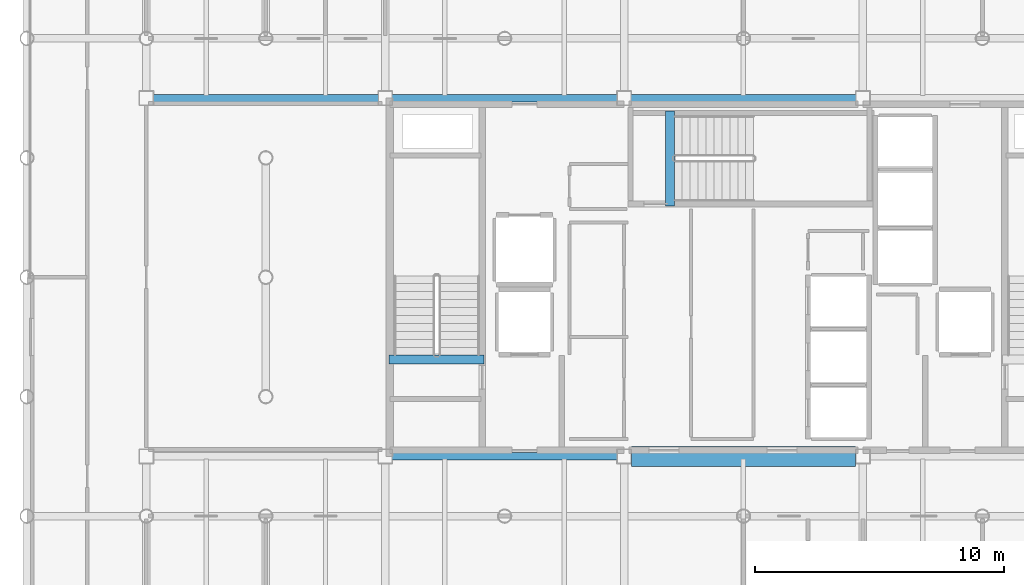
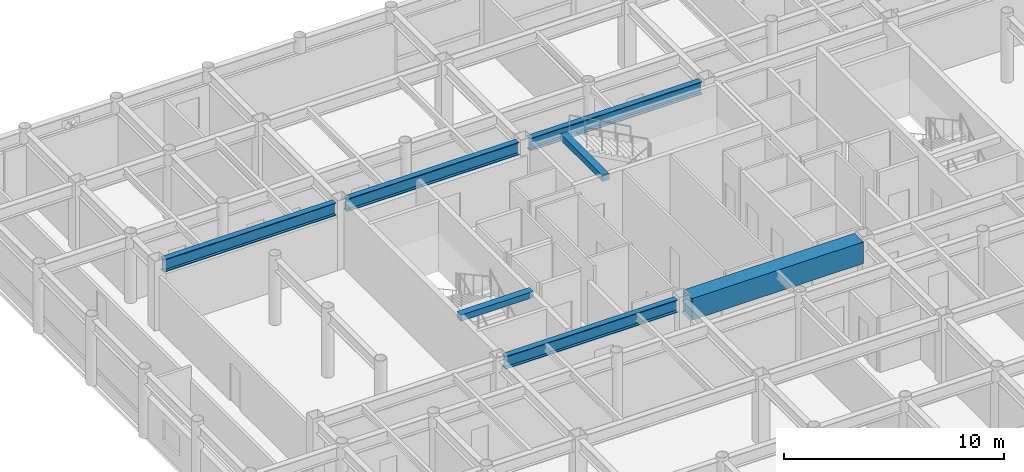
# One storey, part 7 of 22: 7 beams.
"""IFC4 building model written with IfcOpenShell, lengths in metres."""

from ifc_helpers import new_model, si_unit, direction, frame, origin, origin_2d, place, context, subcontext, project, spatial, rectangle, i_section, extrude, material, material_profile, profile_set, type_object, element, save


model = new_model("IFC4")

# Units and contexts
model_context = context("Model", 3, precision=1e-05, world=origin(), true_north=direction((0.0, 1.0)))
body_context = subcontext(model_context, "Body", "Model", "MODEL_VIEW")
ifc_project = project(units=[si_unit("LENGTHUNIT", "METRE"), si_unit("AREAUNIT", "SQUARE_METRE"), si_unit("VOLUMEUNIT", "CUBIC_METRE"), si_unit("PLANEANGLEUNIT", "RADIAN"), si_unit("MASSUNIT", "GRAM", prefix="KILO")], contexts=[model_context])

# Site, building, storey
site_placement = place(None, origin())
site = spatial("IfcSite", under=ifc_project, at=site_placement, CompositionType="ELEMENT")
building_placement = place(site_placement, origin())
building = spatial("IfcBuilding", under=site, at=building_placement, Name="Kallvorn Hotel Tower", CompositionType="ELEMENT")
storey_placement = place(building_placement, frame((0.0, 0.0, 206.89990234375)))
storey = spatial("IfcBuildingStorey", under=building, at=storey_placement, Name="L51", CompositionType="ELEMENT", Elevation=206.89990234375)

# Beams
ifc_material_1 = material(Name="Structural steel S355JR", Category="steel")
ifc_material_profile_1 = material_profile(ifc_material_1, i_section(OverallWidth=0.300048828125, OverallDepth=0.699951171875, WebThickness=0.01708984375, FlangeThickness=0.031982421875, at=origin_2d()), Name="HE 700 B")
ifc_profile_set_1 = profile_set([ifc_material_profile_1], Name="Structural steel S355JR")
beam_type_1 = type_object("IfcBeamType", Name="BM_HE700B", PredefinedType="BEAM", material=ifc_profile_set_1)
for number, where, z_axis, x_axis, name in (
    (1, (-14.125, -7.199951171875, 3.320068359375), (1.0, 0.0, 0.0), (0.0, 1.0, 0.0), "L52 Primary X-Girder 34"),
    (2, (-23.72509765625, 7.199951171875, 3.320068359375), (1.0, 0.0, 0.0), (0.0, 1.0, 0.0), "L52 Primary X-Girder 37"),
    (3, (-14.125, 7.199951171875, 3.320068359375), (1.0, 0.0, 0.0), (0.0, 1.0, 0.0), "L52 Primary X-Girder 38"),
):
    element("IfcBeam", number, at=place(storey_placement, frame(where, z_axis=z_axis, x_axis=x_axis)), inside=storey, type_object=beam_type_1, Name=name, PredefinedType="BEAM", context=body_context, shape_type="SweptSolid", body=[
        extrude(i_section(OverallWidth=0.300048828125, OverallDepth=0.699951171875, WebThickness=0.01708984375, FlangeThickness=0.031982421875, at=origin_2d()), origin(), (0.0, 0.0, 1.0), 9.050048828125),
    ])
beam_1_placement = place(storey_placement, frame((-4.52490234375, 7.199951171875, 3.320068359375), z_axis=(1.0, 0.0, 0.0), x_axis=(0.0, 1.0, 0.0)))
element("IfcBeam", 4, at=beam_1_placement, inside=storey, type_object=beam_type_1, Name="L52 Primary X-Girder 39", PredefinedType="BEAM", context=body_context, shape_type="SweptSolid", body=[
    extrude(i_section(OverallWidth=0.300048828125, OverallDepth=0.699951171875, WebThickness=0.01708984375, FlangeThickness=0.031982421875, at=origin_2d()), origin(), (0.0, 0.0, 1.0), 9.0498046875),
])
ifc_material_2 = material(Name="Concrete C50/60", Category="concrete")
ifc_material_profile_2 = material_profile(ifc_material_2, rectangle(XDim=0.360107421875, YDim=0.340087890625, at=origin_2d()), Name="RC 360x340")
ifc_profile_set_2 = profile_set([ifc_material_profile_2], Name="Concrete C50/60")
beam_type_2 = type_object("IfcBeamType", Name="BM_RC_400x360", PredefinedType="BEAM", material=ifc_profile_set_2)
beam_2_placement = place(storey_placement, frame((-10.419921875, -3.31005859375, 3.5), z_axis=(-1.0, 0.0, 0.0), x_axis=(0.0, -1.0, 0.0)))
element("IfcBeam", 5, at=beam_2_placement, inside=storey, type_object=beam_type_2, Name="L52 Stair ST1 Arrival Trimmer Beam", PredefinedType="BEAM", context=body_context, shape_type="SweptSolid", body=[
    extrude(rectangle(XDim=0.360107421875, YDim=0.340087890625, at=origin_2d()), origin(), (0.0, 0.0, 1.0), 3.820068359375),
])
beam_3_placement = place(storey_placement, frame((-2.9599609375, 2.8701171875, 3.5), z_axis=(0.0, 1.0, 0.0), x_axis=(-1.0, 0.0, 0.0)))
element("IfcBeam", 6, at=beam_3_placement, inside=storey, type_object=beam_type_2, Name="L52 Stair ST3 Arrival Trimmer Beam", PredefinedType="BEAM", context=body_context, shape_type="SweptSolid", body=[
    extrude(rectangle(XDim=0.360107421875, YDim=0.340087890625, at=origin_2d()), origin(), (0.0, 0.0, 1.0), 3.81982421875),
])
ifc_material_3 = material(Name="Concrete C50/60", Category="concrete")
ifc_material_profile_3 = material_profile(ifc_material_3, rectangle(XDim=0.800048828125, YDim=1.199951171875, at=origin_2d()), Name="RC 800x1200")
ifc_profile_set_3 = profile_set([ifc_material_profile_3], Name="Concrete C50/60")
beam_type_3 = type_object("IfcBeamType", Name="BM_RC_800x1200", PredefinedType="T_BEAM", material=ifc_profile_set_3)
beam_4_placement = place(storey_placement, frame((-4.5, -7.199951171875, 3.070068359375), z_axis=(1.0, 0.0, 0.0), x_axis=(0.0, 1.0, 0.0)))
element("IfcBeam", 7, at=beam_4_placement, inside=storey, type_object=beam_type_3, Name="L51 Core Coupling Beam South", PredefinedType="T_BEAM", context=body_context, shape_type="SweptSolid", body=[
    extrude(rectangle(XDim=0.800048828125, YDim=1.199951171875, at=origin_2d()), origin(), (0.0, 0.0, 1.0), 9.0),
])

save(model, "model.ifc")
